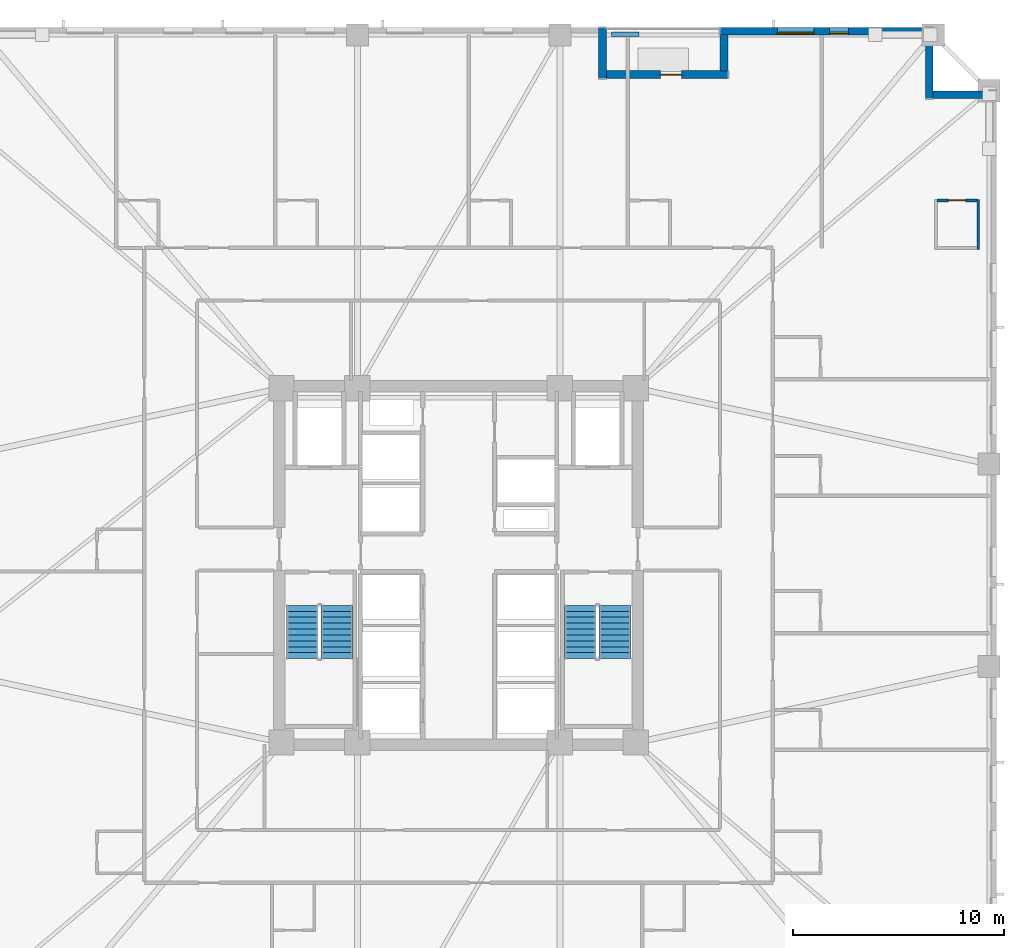
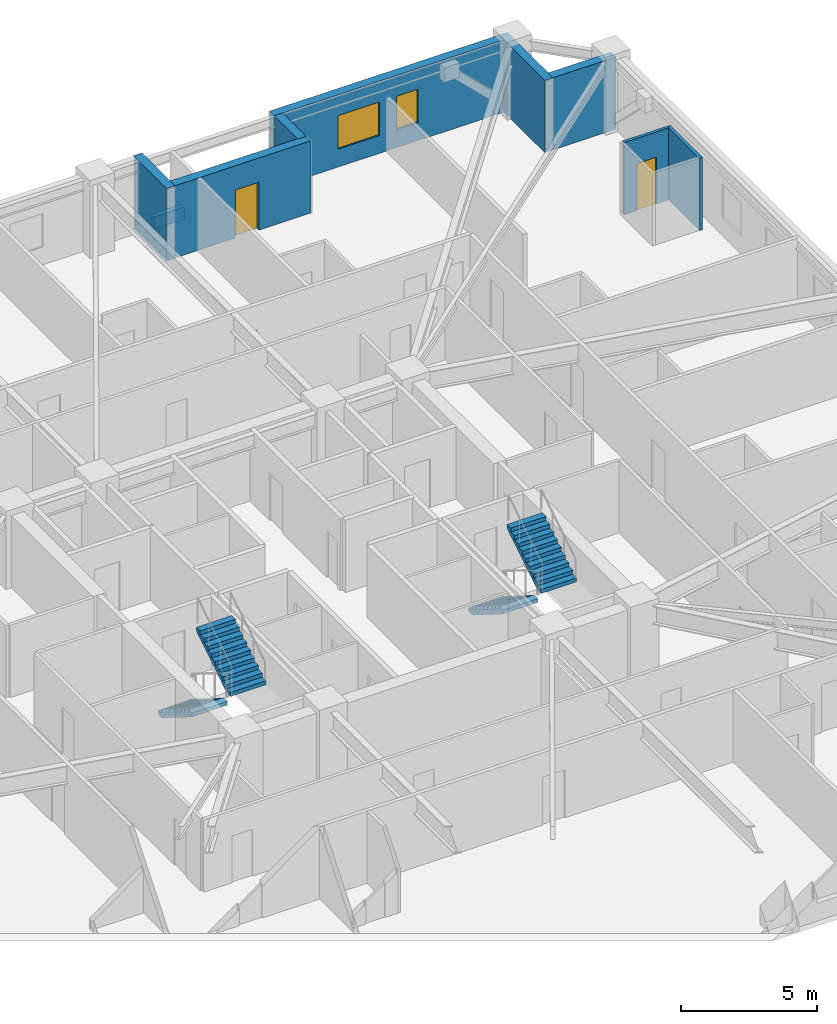
# One storey, part 7 of 11: 9 walls, 4 stair flights, 2 doors, 2 windows, 4 openings, 2 elements without a shape of their own.
"""IFC4 building model written with IfcOpenShell, lengths in metres."""

from ifc_helpers import new_model, si_unit, direction, frame, frame_2d, origin, place, context, subcontext, project, spatial, polyline, rectangle, outline, extrude, material, layer, layer_set, type_object, element, fill, aggregate, save


model = new_model("IFC4")

# Units and contexts
model_context = context("Model", 3, precision=1e-05, world=origin(), true_north=direction((0.0, 1.0)))
body_context = subcontext(model_context, "Body", "Model", "MODEL_VIEW")
ifc_project = project(units=[si_unit("LENGTHUNIT", "METRE"), si_unit("AREAUNIT", "SQUARE_METRE"), si_unit("VOLUMEUNIT", "CUBIC_METRE"), si_unit("PLANEANGLEUNIT", "RADIAN"), si_unit("MASSUNIT", "GRAM", prefix="KILO")], contexts=[model_context])

# Site, building, storey
site_placement = place(None, origin())
site = spatial("IfcSite", under=ifc_project, at=site_placement, CompositionType="ELEMENT")
building_placement = place(site_placement, origin())
building = spatial("IfcBuilding", under=site, at=building_placement, Name="Cairnveth Concourse Tower", CompositionType="ELEMENT")
storey_placement = place(building_placement, frame((0.0, 0.0, 93.5)))
storey = spatial("IfcBuildingStorey", under=building, at=storey_placement, Name="L25", CompositionType="ELEMENT", Elevation=93.5)

# Walls
ifc_material_1 = material(Name="Dressed Melbourne Bluestone Cladding", Category="masonry")
ifc_layer_1 = layer(ifc_material_1, 0.219970703125)
ifc_layer_set_1 = layer_set([ifc_layer_1], Name="Dressed Melbourne Bluestone Cladding")
wall_type_1 = type_object("IfcWallType", Name="TERRACE PLANTER CURB WALL 220", PredefinedType="PARAPET", material=ifc_layer_set_1)
wall_1_placement = place(storey_placement, frame((59.25, 64.179931640625, 0.0), z_axis=(0.0, 0.0, 1.0), x_axis=(1.0, 0.0, 0.0)))
element("IfcWall", 1, at=wall_1_placement, inside=storey, type_object=wall_type_1, Name="Exterior Wall PLNT-L25-TERR", PredefinedType="PARAPET", context=body_context, shape_type="SweptSolid", body=[
    extrude(rectangle(XDim=1.300048828125, YDim=0.219970703125, at=frame_2d((0.64990234375, 0.0))), origin(), (0.0, 0.0, 1.0), 0.550048828125),
])
ifc_material_2 = material(Name="Gypsum Plasterboard Partition", Category="gypsum")
ifc_layer_2 = layer(ifc_material_2, 0.1298828125)
ifc_layer_set_2 = layer_set([ifc_layer_2], Name="Gypsum Plasterboard Partition")
wall_type_2 = type_object("IfcWallType", Name="WET AREA PARTITION 140", PredefinedType="PLUMBINGWALL", material=ifc_layer_set_2)
wall_2_placement = place(storey_placement, frame((76.6298828125, 53.969970703125, 0.0), z_axis=(0.0, 0.0, 1.0), x_axis=(0.0, 1.0, 0.0)))
element("IfcWall", 2, at=wall_2_placement, inside=storey, type_object=wall_type_2, Name="Interior Wall IW-L25-084", PredefinedType="PLUMBINGWALL", context=body_context, shape_type="SweptSolid", body=[
    extrude(rectangle(XDim=2.380126953125, YDim=0.1298828125, at=frame_2d((1.18994140625, 0.0))), origin(), (0.0, 0.0, 1.0), 3.239990234375),
])

# Wall, opening, door
wall_3_placement = place(storey_placement, frame((74.679931640625, 56.300048828125, 0.0), z_axis=(0.0, 0.0, 1.0), x_axis=(1.0, 0.0, 0.0)))
wall_3 = element("IfcWall", 3, at=wall_3_placement, inside=storey, type_object=wall_type_2, Name="Interior Wall IW-L25-086", PredefinedType="PLUMBINGWALL", context=body_context, shape_type="SweptSolid", body=[
    extrude(rectangle(XDim=1.900146484375, YDim=0.1298828125, at=frame_2d((0.9501953125, 0.0))), origin(), (0.0, 0.0, 1.0), 3.239990234375),
])
opening_1_placement = place(wall_3_placement, frame((0.5400390625, 0.0, 0.0)))
opening_1 = element("IfcOpeningElement", 4, at=opening_1_placement, cuts=wall_3, Name="Opening ID22", PredefinedType="OPENING", context=body_context, shape_type="SweptSolid", body=[
    extrude(rectangle(XDim=0.820068359375, YDim=2.10009765625, at=frame_2d((0.41015625, 1.050048828125))), frame((0.0, 0.074951171875, 0.0), z_axis=(0.0, -1.0, 0.0), x_axis=(1.0, 0.0, 0.0)), (0.0, 0.0, 1.0), 0.14990234375),
])
ifc_material_3 = material(Name="Solid Core Hardwood Timber Leaf", Category="wood")
door_type_1 = type_object("IfcDoorType", Name="INTERIOR WC DOOR 820X2100", OperationType="NOTDEFINED", PredefinedType="DOOR", material=ifc_material_3)
door_1_placement = place(opening_1_placement, origin())
door_1 = element("IfcDoor", 5, at=door_1_placement, inside=storey, type_object=door_type_1, Name="En-Suite Door L25-N6", OperationType="SINGLE_SWING_RIGHT", OverallHeight=2.10009765625, OverallWidth=0.820068359375, PredefinedType="DOOR", context=body_context, shape_type="SweptSolid", body=[
    extrude(rectangle(XDim=0.820068359375, YDim=2.10009765625, at=frame_2d((0.41015625, 1.050048828125))), frame((0.0, 0.02490234375, 0.0), z_axis=(0.0, -1.0, 0.0), x_axis=(1.0, 0.0, 0.0)), (0.0, 0.0, 1.0), 0.050048828125),
])
fill(opening_1, door_1)

# Wall, openings, windows
ifc_material_4 = material(Name="Hawthorn Red-Ochre Fired Clay Brick Masonry", Category="masonry")
ifc_layer_3 = layer(ifc_material_4, 0.360107421875)
ifc_layer_set_3 = layer_set([ifc_layer_3], Name="Hawthorn Red-Ochre Fired Clay Brick Masonry")
wall_type_3 = type_object("IfcWallType", Name="ZONE 1 BRICK PIER SPANDREL WALL 360", PredefinedType="SOLIDWALL", material=ifc_layer_set_3)
wall_4_placement = place(storey_placement, frame((64.39990234375, 64.320068359375, 0.0), z_axis=(0.0, 0.0, 1.0), x_axis=(1.0, 0.0, 0.0)))
wall_4 = element("IfcWall", 6, at=wall_4_placement, inside=storey, type_object=wall_type_3, Name="Exterior Wall EW-L25-S00", PredefinedType="SOLIDWALL", context=body_context, shape_type="SweptSolid", body=[
    extrude(rectangle(XDim=9.76220703125, YDim=0.360107421875, at=frame_2d((4.881103515625, 0.0))), origin(), (0.0, 0.0, 1.0), 3.239990234375),
])
opening_2_placement = place(wall_4_placement, frame((2.7060546875, 0.0, 0.800048828125)))
opening_2 = element("IfcOpeningElement", 7, at=opening_2_placement, cuts=wall_4, Name="Opening W06", PredefinedType="OPENING", context=body_context, shape_type="SweptSolid", body=[
    extrude(rectangle(XDim=1.75, YDim=1.50390625, at=frame_2d((0.875, 0.751953125))), frame((0.0, 0.18994140625, 0.0), z_axis=(0.0, -1.0, 0.0), x_axis=(1.0, 0.0, 0.0)), (0.0, 0.0, 1.0), 0.380126953125),
])
opening_3_placement = place(wall_4_placement, frame((5.18994140625, 0.0, 0.800048828125)))
opening_3 = element("IfcOpeningElement", 8, at=opening_3_placement, cuts=wall_4, Name="Opening W13", PredefinedType="OPENING", context=body_context, shape_type="SweptSolid", body=[
    extrude(rectangle(XDim=0.89990234375, YDim=1.50390625, at=frame_2d((0.449951171875, 0.751953125))), frame((0.0, 0.18994140625, 0.0), z_axis=(0.0, -1.0, 0.0), x_axis=(1.0, 0.0, 0.0)), (0.0, 0.0, 1.0), 0.380126953125),
])
ifc_material_5 = material(Name="Double Glazed Low-E Clear Glass", Category="glass")
window_type_1 = type_object("IfcWindowType", Name="DEEP-SET BEDROOM LANCET WINDOW 900X1750", PartitioningType="DOUBLE_PANEL_VERTICAL", PredefinedType="WINDOW", material=ifc_material_5)
window_1_placement = place(opening_3_placement, origin())
window_1 = element("IfcWindow", 9, at=window_1_placement, inside=storey, type_object=window_type_1, Name="Dwelling Lancet Window L25-DW1", OverallHeight=1.50390625, OverallWidth=0.89990234375, PartitioningType="SINGLE_PANEL", PredefinedType="WINDOW", context=body_context, shape_type="SweptSolid", body=[
    extrude(rectangle(XDim=0.89990234375, YDim=1.50390625, at=frame_2d((0.449951171875, 0.751953125))), frame((0.0, -0.0400390625, 0.0), z_axis=(0.0, -1.0, 0.0), x_axis=(1.0, 0.0, 0.0)), (0.0, 0.0, 1.0), 0.06005859375),
])
fill(opening_3, window_1)
window_type_2 = type_object("IfcWindowType", Name="DEEP-SET HOTEL SUITE WINDOW 1750X1800", PartitioningType="DOUBLE_PANEL_VERTICAL", PredefinedType="WINDOW", material=ifc_material_5)
window_2_placement = place(opening_2_placement, origin())
window_2 = element("IfcWindow", 10, at=window_2_placement, inside=storey, type_object=window_type_2, Name="Gothic Lancet Window L25-0-1", OverallHeight=1.50390625, OverallWidth=1.75, PartitioningType="SINGLE_PANEL", PredefinedType="WINDOW", context=body_context, shape_type="SweptSolid", body=[
    extrude(rectangle(XDim=1.75, YDim=1.50390625, at=frame_2d((0.875, 0.751953125))), frame((0.0, -0.050048828125, 0.0), z_axis=(0.0, -1.0, 0.0), x_axis=(1.0, 0.0, 0.0)), (0.0, 0.0, 1.0), 0.06005859375),
])
fill(opening_2, window_2)

# Walls
wall_5_placement = place(storey_placement, frame((74.320068359375, 64.5, 0.0), z_axis=(0.0, 0.0, 1.0), x_axis=(0.0, -1.0, 0.0)))
element("IfcWall", 11, at=wall_5_placement, inside=storey, type_object=wall_type_3, Name="Exterior Wall EW-L25-S01", PredefinedType="SOLIDWALL", context=body_context, shape_type="SweptSolid", body=[
    extrude(rectangle(XDim=3.360107421875, YDim=0.360107421875, at=frame_2d((1.68017578125, 0.0))), origin(), (0.0, 0.0, 1.0), 3.239990234375),
])
wall_6_placement = place(storey_placement, frame((74.47802734375, 61.320068359375, 0.0), z_axis=(0.0, 0.0, 1.0), x_axis=(1.0, 0.0, 0.0)))
element("IfcWall", 12, at=wall_6_placement, inside=storey, type_object=wall_type_3, Name="Exterior Wall EW-L25-S02", PredefinedType="SOLIDWALL", context=body_context, shape_type="SweptSolid", body=[
    extrude(rectangle(XDim=2.68408203125, YDim=0.360107421875, at=frame_2d((1.342041015625, 0.0))), origin(), (0.0, 0.0, 1.0), 3.239990234375),
])
wall_7_placement = place(storey_placement, frame((58.820068359375, 64.5, 0.0), z_axis=(0.0, 0.0, 1.0), x_axis=(0.0, -1.0, 0.0)))
element("IfcWall", 13, at=wall_7_placement, inside=storey, type_object=wall_type_3, Name="Exterior Wall EW-L25-S13", PredefinedType="SOLIDWALL", context=body_context, shape_type="SweptSolid", body=[
    extrude(rectangle(XDim=2.409912109375, YDim=0.360107421875, at=frame_2d((1.205078125, 0.0))), origin(), (0.0, 0.0, 1.0), 3.239990234375),
])

# Wall, opening, door
wall_8_placement = place(storey_placement, frame((58.97802734375, 62.27001953125, 0.0), z_axis=(0.0, 0.0, 1.0), x_axis=(1.0, 0.0, 0.0)))
wall_8 = element("IfcWall", 14, at=wall_8_placement, inside=storey, type_object=wall_type_3, Name="Exterior Wall EW-L25-S14", PredefinedType="SOLIDWALL", context=body_context, shape_type="SweptSolid", body=[
    extrude(rectangle(XDim=5.781982421875, YDim=0.360107421875, at=frame_2d((2.89111328125, 0.0))), origin(), (0.0, 0.0, 1.0), 3.239990234375),
])
opening_4_placement = place(wall_8_placement, frame((2.58837890625, 0.0, 0.0)))
opening_4 = element("IfcOpeningElement", 15, at=opening_4_placement, cuts=wall_8, Name="Opening ED4", PredefinedType="OPENING", context=body_context, shape_type="SweptSolid", body=[
    extrude(rectangle(XDim=1.0, YDim=2.14990234375, at=frame_2d((0.5, 1.074951171875))), frame((0.0, 0.18994140625, 0.0), z_axis=(0.0, -1.0, 0.0), x_axis=(1.0, 0.0, 0.0)), (0.0, 0.0, 1.0), 0.380126953125),
])
ifc_material_6 = material(Name="Architectural Bronze Anodised Aluminium 6063-T6", Category="aluminium")
door_type_2 = type_object("IfcDoorType", Name="TERRACE GLAZED DOOR 1000X2150", OperationType="NOTDEFINED", PredefinedType="DOOR", material=ifc_material_6)
door_2_placement = place(opening_4_placement, origin())
door_2 = element("IfcDoor", 16, at=door_2_placement, inside=storey, type_object=door_type_2, Name="Spiral Terrace Door L25", OperationType="SINGLE_SWING_RIGHT", OverallHeight=2.14990234375, OverallWidth=1.0, PredefinedType="DOOR", context=body_context, shape_type="SweptSolid", body=[
    extrude(rectangle(XDim=1.0, YDim=2.14990234375, at=frame_2d((0.5, 1.074951171875))), frame((0.0, 0.02490234375, 0.0), z_axis=(0.0, -1.0, 0.0), x_axis=(1.0, 0.0, 0.0)), (0.0, 0.0, 1.0), 0.050048828125),
])
fill(opening_4, door_2)

# Wall
wall_9_placement = place(storey_placement, frame((64.580078125, 62.427978515625, 0.0), z_axis=(0.0, 0.0, 1.0), x_axis=(0.0, 1.0, 0.0)))
element("IfcWall", 17, at=wall_9_placement, inside=storey, type_object=wall_type_3, Name="Exterior Wall EW-L25-S15", PredefinedType="SOLIDWALL", context=body_context, shape_type="SweptSolid", body=[
    extrude(rectangle(XDim=1.734130859375, YDim=0.360107421875, at=frame_2d((0.8671875, 0.0))), origin(), (0.0, 0.0, 1.0), 3.239990234375),
])

# Stair, stair flights
ifc_material_7 = material(Name="Precast concrete N50 (50 MPa)", Category="concrete")
stair_type = type_object("IfcStairType", Name="CORE DOG-LEG FIRE STAIR 1500", PredefinedType="HALF_TURN_STAIR", material=ifc_material_7)
stair_1_placement = place(storey_placement, origin())
stair_1 = element("IfcStair", 18, at=stair_1_placement, inside=storey, type_object=stair_type, Name="L25 Fire-Isolated Stair ST-1", PredefinedType="HALF_TURN_STAIR")
stair_flight_type = type_object("IfcStairFlightType", Name="PRECAST CONCRETE STAIR FLIGHT 1500", PredefinedType="STRAIGHT", material=ifc_material_7)
stair_flight_1_placement = place(storey_placement, frame((44.590087890625, 37.10009765625, 0.0), z_axis=(0.0, 0.0, 1.0), x_axis=(0.0, -1.0, 0.0)))
stair_flight_1 = element("IfcStairFlight", 19, at=stair_flight_1_placement, type_object=stair_flight_type, Name="ST-1 flight 1", NumberOfRisers=10, NumberOfTreads=9, PredefinedType="STRAIGHT", RiserHeight=0.175, TreadLength=0.28, context=body_context, shape_type="SweptSolid", body=[
    extrude(outline(polyline([(0.0, 0.0), (0.0, 0.175048828125), (0.280029296875, 0.175048828125), (0.280029296875, 0.35009765625), (0.56005859375, 0.35009765625), (0.56005859375, 0.52490234375), (0.840087890625, 0.52490234375), (0.840087890625, 0.699951171875), (1.1201171875, 0.699951171875), (1.1201171875, 0.875), (1.39990234375, 0.875), (1.39990234375, 1.050048828125), (1.679931640625, 1.050048828125), (1.679931640625, 1.22509765625), (1.9599609375, 1.22509765625), (1.9599609375, 1.39990234375), (2.239990234375, 1.39990234375), (2.239990234375, 1.574951171875), (2.52001953125, 1.574951171875), (2.52001953125, 1.75), (2.52001953125, 1.398193359375), (0.28271484375, 0.0), (0.0, 0.0)])), frame((0.0, 0.75, 0.0), z_axis=(0.0, -1.0, 0.0), x_axis=(1.0, 0.0, 0.0)), (0.0, 0.0, 1.0), 1.5),
])
stair_flight_2_placement = place(storey_placement, frame((46.22998046875, 34.580078125, 1.75), z_axis=(0.0, 0.0, 1.0), x_axis=(0.0, 1.0, 0.0)))
stair_flight_2 = element("IfcStairFlight", 20, at=stair_flight_2_placement, type_object=stair_flight_type, Name="ST-1 flight 2", NumberOfRisers=10, NumberOfTreads=9, PredefinedType="STRAIGHT", RiserHeight=0.175, TreadLength=0.28, context=body_context, shape_type="SweptSolid", body=[
    extrude(outline(polyline([(0.0, 0.0), (0.0, 0.175048828125), (0.280029296875, 0.175048828125), (0.280029296875, 0.35009765625), (0.56005859375, 0.35009765625), (0.56005859375, 0.52490234375), (0.840087890625, 0.52490234375), (0.840087890625, 0.699951171875), (1.1201171875, 0.699951171875), (1.1201171875, 0.875), (1.39990234375, 0.875), (1.39990234375, 1.050048828125), (1.679931640625, 1.050048828125), (1.679931640625, 1.22509765625), (1.9599609375, 1.22509765625), (1.9599609375, 1.39990234375), (2.239990234375, 1.39990234375), (2.239990234375, 1.574951171875), (2.52001953125, 1.574951171875), (2.52001953125, 1.75), (2.52001953125, 1.398193359375), (0.28271484375, 0.0), (0.0, 0.0)])), frame((0.0, 0.75, 0.0), z_axis=(0.0, -1.0, 0.0), x_axis=(1.0, 0.0, 0.0)), (0.0, 0.0, 1.0), 1.5),
])
aggregate(stair_1, [stair_flight_1, stair_flight_2])

stair_2_placement = place(storey_placement, origin())
stair_2 = element("IfcStair", 21, at=stair_2_placement, inside=storey, type_object=stair_type, Name="L25 Fire-Isolated Stair ST-2", PredefinedType="HALF_TURN_STAIR")
stair_flight_3_placement = place(storey_placement, frame((57.77001953125, 37.10009765625, 0.0), z_axis=(0.0, 0.0, 1.0), x_axis=(0.0, -1.0, 0.0)))
stair_flight_3 = element("IfcStairFlight", 22, at=stair_flight_3_placement, type_object=stair_flight_type, Name="ST-2 flight 1", NumberOfRisers=10, NumberOfTreads=9, PredefinedType="STRAIGHT", RiserHeight=0.175, TreadLength=0.28, context=body_context, shape_type="SweptSolid", body=[
    extrude(outline(polyline([(0.0, 0.0), (0.0, 0.175048828125), (0.280029296875, 0.175048828125), (0.280029296875, 0.35009765625), (0.56005859375, 0.35009765625), (0.56005859375, 0.52490234375), (0.840087890625, 0.52490234375), (0.840087890625, 0.699951171875), (1.1201171875, 0.699951171875), (1.1201171875, 0.875), (1.39990234375, 0.875), (1.39990234375, 1.050048828125), (1.679931640625, 1.050048828125), (1.679931640625, 1.22509765625), (1.9599609375, 1.22509765625), (1.9599609375, 1.39990234375), (2.239990234375, 1.39990234375), (2.239990234375, 1.574951171875), (2.52001953125, 1.574951171875), (2.52001953125, 1.75), (2.52001953125, 1.398193359375), (0.28271484375, 0.0), (0.0, 0.0)])), frame((0.0, 0.75, 0.0), z_axis=(0.0, -1.0, 0.0), x_axis=(1.0, 0.0, 0.0)), (0.0, 0.0, 1.0), 1.5),
])
stair_flight_4_placement = place(storey_placement, frame((59.409912109375, 34.580078125, 1.75), z_axis=(0.0, 0.0, 1.0), x_axis=(0.0, 1.0, 0.0)))
stair_flight_4 = element("IfcStairFlight", 23, at=stair_flight_4_placement, type_object=stair_flight_type, Name="ST-2 flight 2", NumberOfRisers=10, NumberOfTreads=9, PredefinedType="STRAIGHT", RiserHeight=0.175, TreadLength=0.28, context=body_context, shape_type="SweptSolid", body=[
    extrude(outline(polyline([(0.0, 0.0), (0.0, 0.175048828125), (0.280029296875, 0.175048828125), (0.280029296875, 0.35009765625), (0.56005859375, 0.35009765625), (0.56005859375, 0.52490234375), (0.840087890625, 0.52490234375), (0.840087890625, 0.699951171875), (1.1201171875, 0.699951171875), (1.1201171875, 0.875), (1.39990234375, 0.875), (1.39990234375, 1.050048828125), (1.679931640625, 1.050048828125), (1.679931640625, 1.22509765625), (1.9599609375, 1.22509765625), (1.9599609375, 1.39990234375), (2.239990234375, 1.39990234375), (2.239990234375, 1.574951171875), (2.52001953125, 1.574951171875), (2.52001953125, 1.75), (2.52001953125, 1.398193359375), (0.28271484375, 0.0), (0.0, 0.0)])), frame((0.0, 0.75, 0.0), z_axis=(0.0, -1.0, 0.0), x_axis=(1.0, 0.0, 0.0)), (0.0, 0.0, 1.0), 1.5),
])
aggregate(stair_2, [stair_flight_3, stair_flight_4])

save(model, "model.ifc")
